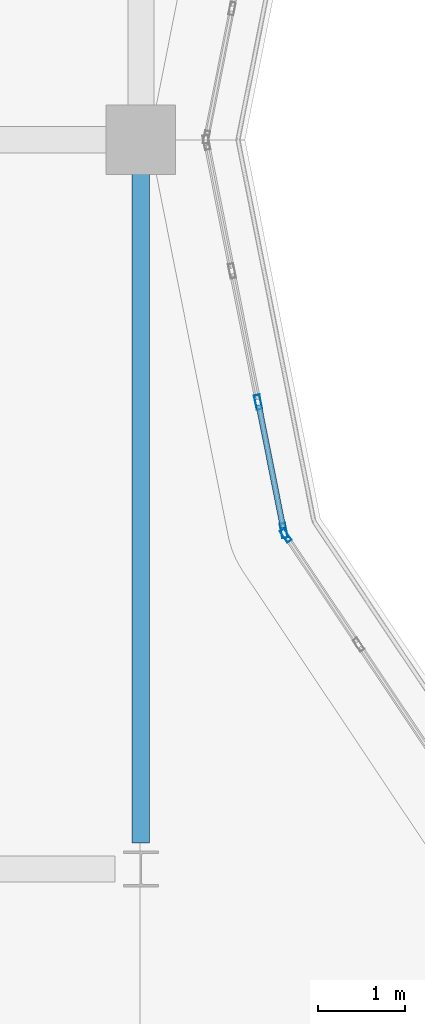
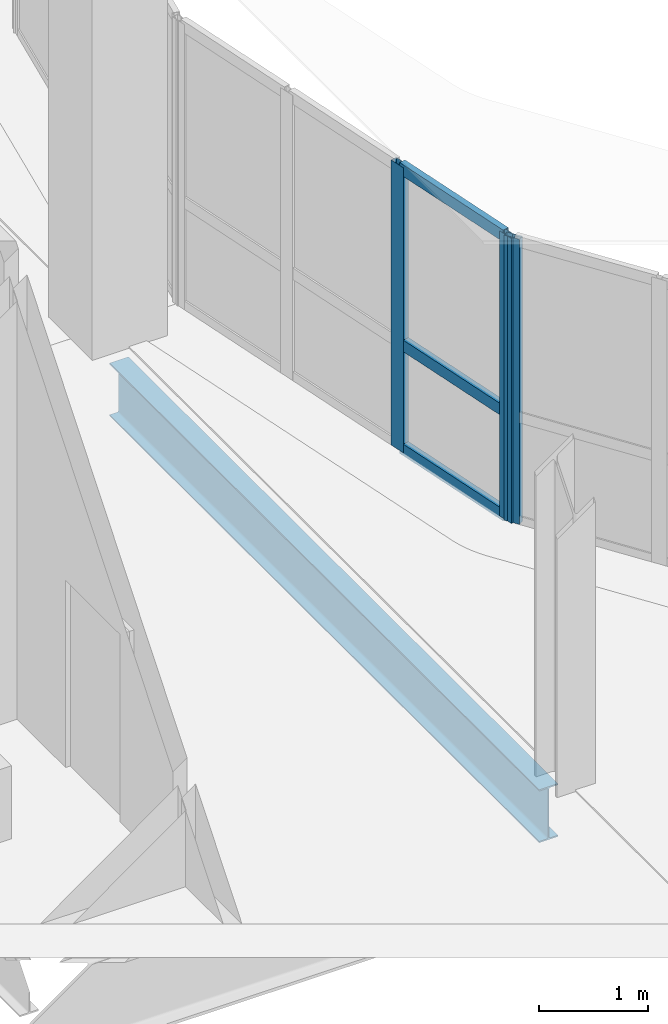
# One storey, part 17 of 110: 6 members, 1 beam, 2 elements without a shape of their own.
"""IFC4 building model written with IfcOpenShell, lengths in metres."""

from ifc_helpers import new_model, si_unit, direction, frame, origin, origin_2d, place, context, subcontext, project, spatial, hollow_rectangle, i_section, extrude, material, layer, layer_set, material_profile, profile_set, type_object, element, aggregate, save


model = new_model("IFC4")

# Units and contexts
model_context = context("Model", 3, precision=1e-05, world=origin(), true_north=direction((0.0, 1.0)))
body_context = subcontext(model_context, "Body", "Model", "MODEL_VIEW")
ifc_project = project(units=[si_unit("LENGTHUNIT", "METRE"), si_unit("AREAUNIT", "SQUARE_METRE"), si_unit("VOLUMEUNIT", "CUBIC_METRE"), si_unit("PLANEANGLEUNIT", "RADIAN"), si_unit("MASSUNIT", "GRAM", prefix="KILO"), si_unit("THERMODYNAMICTEMPERATUREUNIT", "KELVIN")], contexts=[model_context])

# Site, building, storey
site_placement = place(None, origin())
site = spatial("IfcSite", under=ifc_project, at=site_placement, CompositionType="ELEMENT")
building_placement = place(site_placement, origin())
building = spatial("IfcBuilding", under=site, at=building_placement, Name="Lustrewick Department Store", CompositionType="ELEMENT")
storey_placement = place(building_placement, frame((0.0, 0.0, 6.0)))
storey = spatial("IfcBuildingStorey", under=building, at=storey_placement, Name="L02", CompositionType="ELEMENT", Elevation=6.0)

# Curtain wall, members
ifc_material_1 = material(Name="Thermally broken aluminium 6063-T5", Category="aluminium")
ifc_layer_1 = layer(ifc_material_1, 0.169921875, Name="Thermally broken aluminium 6063-T5")
ifc_layer_set_1 = layer_set([ifc_layer_1], Name="Thermally broken aluminium 6063-T5")
curtain_wall_type_1 = type_object("IfcCurtainWallType", Name="CW16", PredefinedType="NOTDEFINED", material=ifc_layer_set_1)
curtain_wall_1_placement = place(storey_placement, origin())
curtain_wall_1 = element("IfcCurtainWall", 1, at=curtain_wall_1_placement, inside=storey, type_object=curtain_wall_type_1, Name="L02 Atrium Glazed Screen CW16", PredefinedType="NOTDEFINED")
ifc_material_profile_1 = material_profile(ifc_material_1, hollow_rectangle(XDim=0.06494140625, YDim=0.169921875, WallThickness=0.00390625, at=origin_2d()), Name="ALU-M 65x170x4")
ifc_profile_set_1 = profile_set([ifc_material_profile_1], Name="Thermally broken aluminium 6063-T5")
member_type_1 = type_object("IfcMemberType", Name="CW16-M1", PredefinedType="MULLION", material=ifc_profile_set_1)
member_1_placement = place(storey_placement, frame((18.1513671875, 64.1767578125, 0.0), z_axis=(0.0, 0.0, 1.0), x_axis=(0.980786430993, 0.195084537521, 0.0)))
member_1 = element("IfcMember", 2, at=member_1_placement, type_object=member_type_1, Name="CW16 mullion 3", PredefinedType="MULLION", context=body_context, shape_type="SweptSolid", body=[
    extrude(hollow_rectangle(XDim=0.06494140625, YDim=0.169921875, WallThickness=0.00390625, at=origin_2d()), origin(), (0.0, 0.0, 1.0), 3.199951171875),
])
member_2_placement = place(storey_placement, frame((18.445556640625, 62.697021484375, 0.0), z_axis=(0.0, 0.0, 1.0), x_axis=(0.980786430993, 0.195084537521, 0.0)))
member_2 = element("IfcMember", 3, at=member_2_placement, type_object=member_type_1, Name="CW16 mullion 4", PredefinedType="MULLION", context=body_context, shape_type="SweptSolid", body=[
    extrude(hollow_rectangle(XDim=0.06494140625, YDim=0.169921875, WallThickness=0.00390625, at=origin_2d()), origin(), (0.0, 0.0, 1.0), 3.199951171875),
])
ifc_material_profile_2 = material_profile(ifc_material_1, hollow_rectangle(XDim=0.06494140625, YDim=0.1298828125, WallThickness=0.00341796875, at=origin_2d()), Name="ALU-T 65x130x3.5")
ifc_profile_set_2 = profile_set([ifc_material_profile_2], Name="Thermally broken aluminium 6063-T5")
member_type_2 = type_object("IfcMemberType", Name="CW16-T1", PredefinedType="USERDEFINED", material=ifc_profile_set_2)
member_3_placement = place(storey_placement, frame((18.15771484375, 64.14501953125, 0.032470703125), z_axis=(0.19497779785, -0.980807656141, 0.0), x_axis=(0.980807656141, 0.19497779785, 0.0)))
member_3 = element("IfcMember", 4, at=member_3_placement, type_object=member_type_2, Name="CW16 transom 3.1", ObjectType="TRANSOM", PredefinedType="USERDEFINED", context=body_context, shape_type="SweptSolid", body=[
    extrude(hollow_rectangle(XDim=0.06494140625, YDim=0.1298828125, WallThickness=0.00341796875, at=origin_2d()), origin(), (0.0, 0.0, 1.0), 1.443603515625),
])
member_4_placement = place(storey_placement, frame((18.15771484375, 64.14501953125, 1.199951171875), z_axis=(0.19497779785, -0.980807656141, 0.0), x_axis=(0.980807656141, 0.19497779785, 0.0)))
member_4 = element("IfcMember", 5, at=member_4_placement, type_object=member_type_2, Name="CW16 transom 3.2", ObjectType="TRANSOM", PredefinedType="USERDEFINED", context=body_context, shape_type="SweptSolid", body=[
    extrude(hollow_rectangle(XDim=0.06494140625, YDim=0.1298828125, WallThickness=0.00341796875, at=origin_2d()), origin(), (0.0, 0.0, 1.0), 1.443603515625),
])
member_5_placement = place(storey_placement, frame((18.15771484375, 64.14501953125, 3.16748046875), z_axis=(0.19497779785, -0.980807656141, 0.0), x_axis=(0.980807656141, 0.19497779785, 0.0)))
member_5 = element("IfcMember", 6, at=member_5_placement, type_object=member_type_2, Name="CW16 transom 3.3", ObjectType="TRANSOM", PredefinedType="USERDEFINED", context=body_context, shape_type="SweptSolid", body=[
    extrude(hollow_rectangle(XDim=0.06494140625, YDim=0.1298828125, WallThickness=0.00341796875, at=origin_2d()), origin(), (0.0, 0.0, 1.0), 1.443603515625),
])
aggregate(curtain_wall_1, [member_1, member_2, member_3, member_4, member_5])

# Curtain wall, member
ifc_layer_2 = layer(ifc_material_1, 0.159912109375, Name="Thermally broken aluminium 6063-T5")
ifc_layer_set_2 = layer_set([ifc_layer_2], Name="Thermally broken aluminium 6063-T5")
curtain_wall_type_2 = type_object("IfcCurtainWallType", Name="CW17", PredefinedType="NOTDEFINED", material=ifc_layer_set_2)
curtain_wall_2_placement = place(storey_placement, origin())
curtain_wall_2 = element("IfcCurtainWall", 7, at=curtain_wall_2_placement, inside=storey, type_object=curtain_wall_type_2, Name="L02 Atrium Glazed Screen CW17", PredefinedType="NOTDEFINED")
ifc_material_profile_3 = material_profile(ifc_material_1, hollow_rectangle(XDim=0.06005859375, YDim=0.159912109375, WallThickness=0.00390625, at=origin_2d()), Name="ALU-M 60x160x4")
ifc_profile_set_3 = profile_set([ifc_material_profile_3], Name="Thermally broken aluminium 6063-T5")
member_type_3 = type_object("IfcMemberType", Name="CW17-M1", PredefinedType="MULLION", material=ifc_profile_set_3)
member_6_placement = place(storey_placement, frame((18.46875, 62.64013671875, 0.0), z_axis=(0.0, 0.0, 1.0), x_axis=(0.831464212799, 0.555578313862, 0.0)))
member_6 = element("IfcMember", 8, at=member_6_placement, type_object=member_type_3, Name="CW17 mullion 1", PredefinedType="MULLION", context=body_context, shape_type="SweptSolid", body=[
    extrude(hollow_rectangle(XDim=0.06005859375, YDim=0.159912109375, WallThickness=0.00390625, at=origin_2d()), origin(), (0.0, 0.0, 1.0), 3.199951171875),
])
aggregate(curtain_wall_2, [member_6])

# Beam
ifc_material_2 = material(Name="Structural steel Q355B", Category="steel")
ifc_material_profile_4 = material_profile(ifc_material_2, i_section(OverallWidth=0.198974609375, OverallDepth=0.595947265625, WebThickness=0.010009765625, FlangeThickness=0.014892578125, FilletRadius=0.01806640625, at=origin_2d()), Name="HN 596x199x10x15")
ifc_profile_set_4 = profile_set([ifc_material_profile_4], Name="Structural steel Q355B")
beam_type = type_object("IfcBeamType", Name="G15", PredefinedType="BEAM", material=ifc_profile_set_4)
beam_placement = place(storey_placement, frame((16.800048828125, 59.10009765625, -0.552978515625), z_axis=(0.0, 1.0, 0.0), x_axis=(-1.0, 0.0, 0.0)))
element("IfcBeam", 9, at=beam_placement, inside=storey, type_object=beam_type, Name="L02 V1 Girder G15", PredefinedType="BEAM", context=body_context, shape_type="SweptSolid", body=[
    extrude(i_section(OverallWidth=0.198974609375, OverallDepth=0.595947265625, WebThickness=0.010009765625, FlangeThickness=0.014892578125, FilletRadius=0.01806640625, at=origin_2d()), origin(), (0.0, 0.0, 1.0), 7.89990234375),
])

save(model, "model.ifc")
